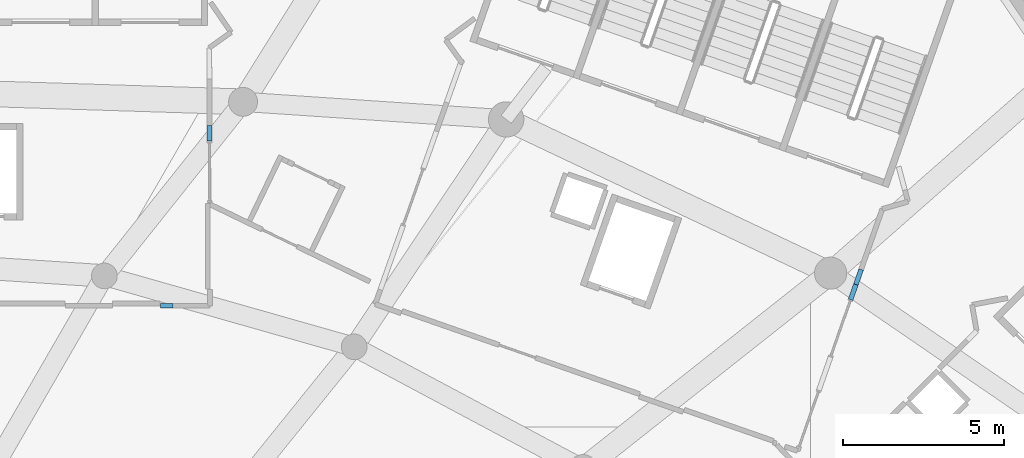
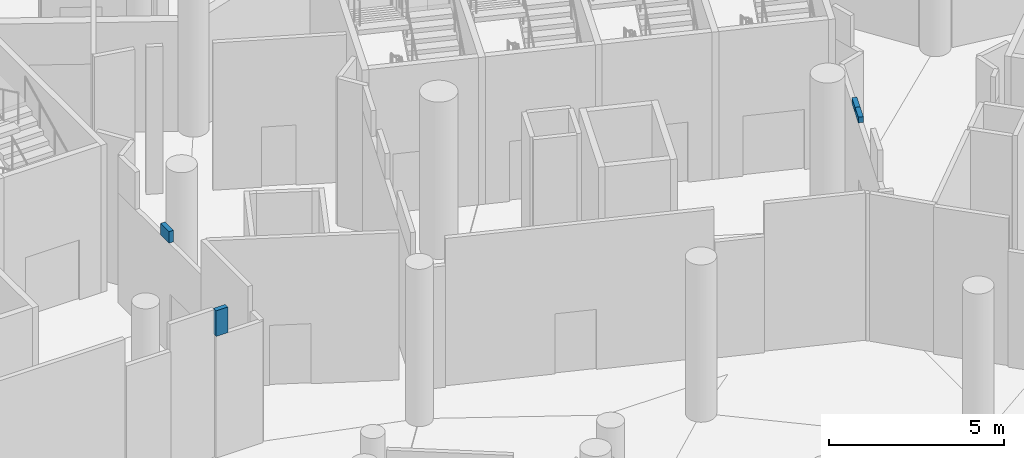
# One storey, part 204 of 271: 4 walls.
"""IFC4 building model written with IfcOpenShell, lengths in metres."""

from ifc_helpers import new_model, si_unit, direction, frame, frame_2d, origin, place, context, subcontext, project, spatial, rectangle, extrude, material, layer, layer_set, type_object, element, save


model = new_model("IFC4")

# Units and contexts
model_context = context("Model", 3, precision=1e-05, world=origin(), true_north=direction((0.0, 1.0)))
body_context = subcontext(model_context, "Body", "Model", "MODEL_VIEW")
ifc_project = project(units=[si_unit("LENGTHUNIT", "METRE"), si_unit("AREAUNIT", "SQUARE_METRE"), si_unit("VOLUMEUNIT", "CUBIC_METRE"), si_unit("PLANEANGLEUNIT", "RADIAN"), si_unit("MASSUNIT", "GRAM", prefix="KILO")], contexts=[model_context])

# Site, building, storey
site_placement = place(None, origin())
site = spatial("IfcSite", under=ifc_project, at=site_placement, CompositionType="ELEMENT")
building_placement = place(site_placement, origin())
building = spatial("IfcBuilding", under=site, at=building_placement, Name="Meseta Stadium", CompositionType="ELEMENT")
storey_placement = place(building_placement, frame((0.0, 0.0, 6.5)))
storey = spatial("IfcBuildingStorey", under=building, at=storey_placement, Name="L01", CompositionType="ELEMENT", Elevation=6.5)

# Walls
ifc_material = material(Name="Masonry blockwork", Category="masonry")
ifc_layer = layer(ifc_material, 0.14990234375)
ifc_layer_set = layer_set([ifc_layer], Name="Partition 150")
wall_type = type_object("IfcWallType", Name="Partition 150", PredefinedType="PARTITIONING", material=ifc_layer_set)
wall_1_placement = place(storey_placement, frame((65.243408203125, 83.966796875, 4.050048828125), z_axis=(0.0, 0.0, 1.0), x_axis=(0.330285037143, 0.943881239479, 0.0)))
element("IfcWall", 1, at=wall_1_placement, inside=storey, type_object=wall_type, Name="Stair vestibule wall L01 core 08", PredefinedType="PARTITIONING", context=body_context, shape_type="SweptSolid", body=[
    extrude(rectangle(XDim=0.4990234375, YDim=0.14990234375, at=frame_2d((0.24951171875, 0.0))), origin(), (0.0, 0.0, 1.0), 0.199951171875),
])
wall_2_placement = place(storey_placement, frame((65.408203125, 84.437744140625, 4.050048828125), z_axis=(0.0, 0.0, 1.0), x_axis=(0.330437645991, 0.9438278244, 0.0)))
element("IfcWall", 2, at=wall_2_placement, inside=storey, type_object=wall_type, Name="Stair vestibule wall L01 core 08", PredefinedType="PARTITIONING", context=body_context, shape_type="SweptSolid", body=[
    extrude(rectangle(XDim=0.498779296875, YDim=0.14990234375, at=frame_2d((0.24951171875, 0.0))), origin(), (0.0, 0.0, 1.0), 0.199951171875),
])
wall_3_placement = place(storey_placement, frame((43.764892578125, 83.776123046875, 4.25), z_axis=(0.0, 0.0, 1.0), x_axis=(1.0, 0.0, 0.0)))
element("IfcWall", 3, at=wall_3_placement, inside=storey, type_object=wall_type, Name="Stair vestibule wall L01 core 09", PredefinedType="PARTITIONING", context=body_context, shape_type="SweptSolid", body=[
    extrude(rectangle(XDim=0.3857421875, YDim=0.14990234375, at=frame_2d((0.19287109375, 0.0))), origin(), (0.0, 0.0, 1.0), 0.89990234375),
])
wall_4_placement = place(storey_placement, frame((45.291015625, 88.910400390625, 3.85009765625), z_axis=(0.0, 0.0, 1.0), x_axis=(-0.003535331442, 0.999993750696, 0.0)))
element("IfcWall", 4, at=wall_4_placement, inside=storey, type_object=wall_type, Name="Stair vestibule wall L01 core 09", PredefinedType="PARTITIONING", context=body_context, shape_type="SweptSolid", body=[
    extrude(rectangle(XDim=0.4833984375, YDim=0.14990234375, at=frame_2d((0.24169921875, 0.0))), origin(), (0.0, 0.0, 1.0), 0.39990234375),
])

save(model, "model.ifc")
